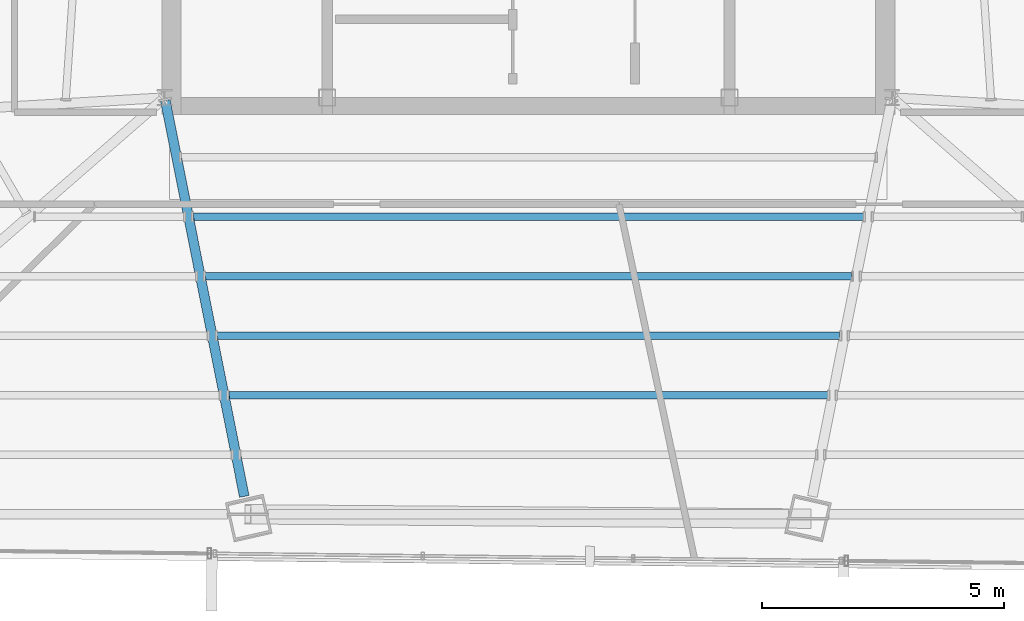
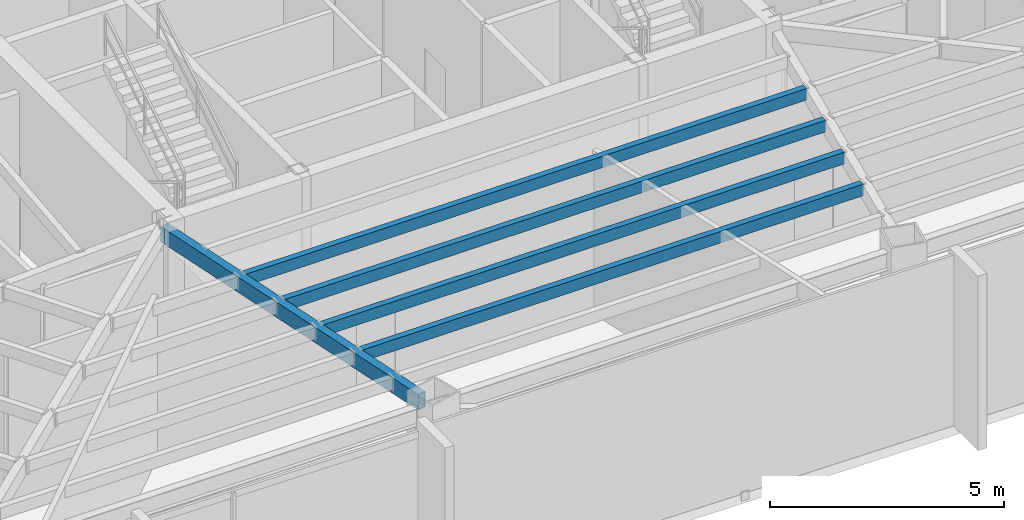
# One storey, part 8 of 37: 5 beams.
"""IFC4 building model written with IfcOpenShell, lengths in metres."""

from ifc_helpers import new_model, si_unit, direction, frame, origin, origin_2d, place, context, subcontext, project, spatial, hollow_rectangle, extrude, source, transform, mapped, material, material_profile, profile_set, type_object, type_shapes, element, save


model = new_model("IFC4")

# Units and contexts
model_context = context("Model", 3, precision=1e-05, world=origin(), true_north=direction((0.0, 1.0)))
body_context = subcontext(model_context, "Body", "Model", "MODEL_VIEW")
ifc_project = project(units=[si_unit("LENGTHUNIT", "METRE"), si_unit("AREAUNIT", "SQUARE_METRE"), si_unit("VOLUMEUNIT", "CUBIC_METRE"), si_unit("PLANEANGLEUNIT", "RADIAN"), si_unit("MASSUNIT", "GRAM", prefix="KILO")], contexts=[model_context])

# Site, building, storey
site_placement = place(None, origin())
site = spatial("IfcSite", under=ifc_project, at=site_placement, CompositionType="ELEMENT")
building_placement = place(site_placement, origin())
building = spatial("IfcBuilding", under=site, at=building_placement, Name="Caelisora Broadcast Tower", CompositionType="ELEMENT")
storey_placement = place(building_placement, frame((0.0, 0.0, 225.35009765625)))
storey = spatial("IfcBuildingStorey", under=building, at=storey_placement, Name="L59", CompositionType="ELEMENT", Elevation=225.35009765625)

# Beams
ifc_material = material(Name="Steel Grade 350 (AS/NZS 1163 C350L0)", Category="steel")
ifc_material_profile_1 = material_profile(ifc_material, hollow_rectangle(XDim=0.199951171875, YDim=0.39990234375, WallThickness=0.012451171875, at=origin_2d()), Name="Steel Grade 350 (AS/NZS 1163 C350L0)")
ifc_profile_set_1 = profile_set([ifc_material_profile_1], Name="Steel Grade 350 (AS/NZS 1163 C350L0)")
beam_type_1 = type_object("IfcBeamType", Name="PG07", PredefinedType="BEAM", material=ifc_profile_set_1)
shared_shape_1 = source(origin(), body_context, "Body", "SweptSolid", [
    extrude(hollow_rectangle(XDim=0.199951171875, YDim=0.39990234375, WallThickness=0.012451171875, at=origin_2d()), origin(), (0.0, 0.0, 1.0), 8.327392578125),
])
type_shapes(beam_type_1, [shared_shape_1])
beam_1_placement = place(storey_placement, frame((30.51171875, 17.34130859375, 4.0498046875), z_axis=(0.195665075744, -0.980670779688, 0.0), x_axis=(0.980670779688, 0.195665075744, 0.0)))
element("IfcBeam", 1, at=beam_1_placement, inside=storey, type_object=beam_type_1, Name="L59 beam PG07", PredefinedType="BEAM", context=body_context, shape_type="MappedRepresentation", body=[
    mapped(shared_shape_1, transform((0.0, 0.0, 0.0), scale=1.0)),
])
ifc_material_profile_2 = material_profile(ifc_material, hollow_rectangle(XDim=0.14990234375, YDim=0.300048828125, WallThickness=0.010009765625, at=origin_2d()), Name="Steel Grade 350 (AS/NZS 1163 C350L0)")
ifc_profile_set_2 = profile_set([ifc_material_profile_2], Name="Steel Grade 350 (AS/NZS 1163 C350L0)")
beam_type_2 = type_object("IfcBeamType", Name="SB05", PredefinedType="JOIST", material=ifc_profile_set_2)
shared_shape_2 = source(origin(), body_context, "Body", "SweptSolid", [
    extrude(hollow_rectangle(XDim=0.14990234375, YDim=0.300048828125, WallThickness=0.010009765625, at=origin_2d()), origin(), (0.0, 0.0, 1.0), 13.822265625),
])
beam_2_placement = place(storey_placement, frame((31.0888671875, 14.944580078125, 4.099853515625), z_axis=(1.0, 0.0, 0.0), x_axis=(0.0, 1.0, 0.0)))
element("IfcBeam", 2, at=beam_2_placement, inside=storey, type_object=beam_type_2, Name="L59 beam SB05", PredefinedType="JOIST", context=body_context, shape_type="MappedRepresentation", body=[
    mapped(shared_shape_2, transform((0.0, 0.0, 0.0), scale=1.0)),
])
shared_shape_3 = source(origin(), body_context, "Body", "SweptSolid", [
    extrude(hollow_rectangle(XDim=0.14990234375, YDim=0.300048828125, WallThickness=0.010009765625, at=origin_2d()), origin(), (0.0, 0.0, 1.0), 13.33251953125),
])
beam_3_placement = place(storey_placement, frame((31.333740234375, 13.716796875, 4.099853515625), z_axis=(1.0, 0.0, 0.0), x_axis=(0.0, 1.0, 0.0)))
element("IfcBeam", 3, at=beam_3_placement, inside=storey, type_object=beam_type_2, Name="L59 beam SB05", PredefinedType="JOIST", context=body_context, shape_type="MappedRepresentation", body=[
    mapped(shared_shape_3, transform((0.0, 0.0, 0.0), scale=1.0)),
])
shared_shape_4 = source(origin(), body_context, "Body", "SweptSolid", [
    extrude(hollow_rectangle(XDim=0.14990234375, YDim=0.300048828125, WallThickness=0.010009765625, at=origin_2d()), origin(), (0.0, 0.0, 1.0), 12.84228515625),
])
beam_4_placement = place(storey_placement, frame((31.578857421875, 12.489013671875, 4.099853515625), z_axis=(1.0, 0.0, 0.0), x_axis=(0.0, 1.0, 0.0)))
element("IfcBeam", 4, at=beam_4_placement, inside=storey, type_object=beam_type_2, Name="L59 beam SB05", PredefinedType="JOIST", context=body_context, shape_type="MappedRepresentation", body=[
    mapped(shared_shape_4, transform((0.0, 0.0, 0.0), scale=1.0)),
])
shared_shape_5 = source(origin(), body_context, "Body", "SweptSolid", [
    extrude(hollow_rectangle(XDim=0.14990234375, YDim=0.300048828125, WallThickness=0.010009765625, at=origin_2d()), origin(), (0.0, 0.0, 1.0), 12.3525390625),
])
type_shapes(beam_type_2, [shared_shape_2, shared_shape_3, shared_shape_4, shared_shape_5])
beam_5_placement = place(storey_placement, frame((31.82373046875, 11.261474609375, 4.099853515625), z_axis=(1.0, 0.0, 0.0), x_axis=(0.0, 1.0, 0.0)))
element("IfcBeam", 5, at=beam_5_placement, inside=storey, type_object=beam_type_2, Name="L59 beam SB05", PredefinedType="JOIST", context=body_context, shape_type="MappedRepresentation", body=[
    mapped(shared_shape_5, transform((0.0, 0.0, 0.0), scale=1.0)),
])

save(model, "model.ifc")
